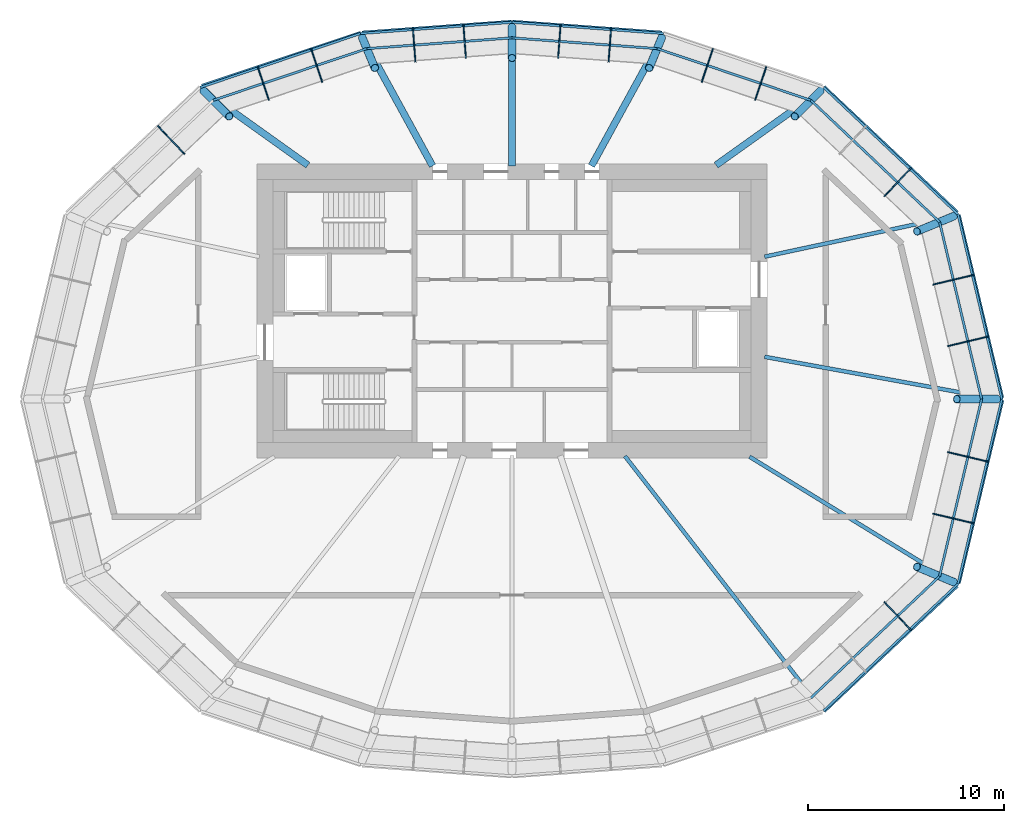
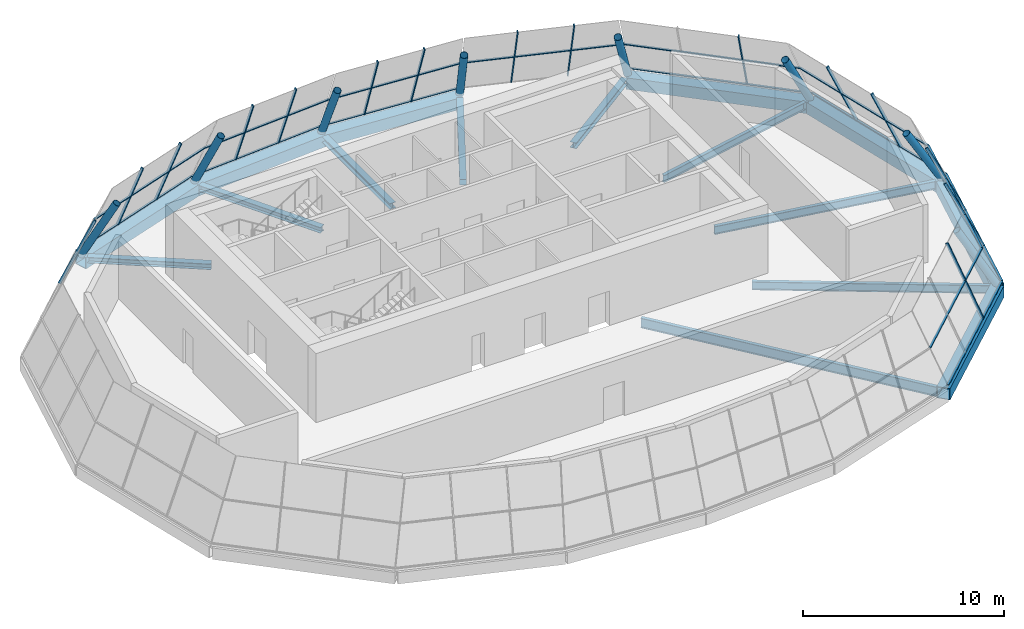
# One storey, part 2 of 8: 38 members, 16 beams, 9 elements without a shape of their own.
"""IFC4 building model written with IfcOpenShell, lengths in metres."""

from ifc_helpers import new_model, si_unit, direction, frame, origin, origin_2d, place, context, subcontext, project, spatial, rectangle, hollow_rectangle, hollow_circle, i_section, extrude, material, material_profile, profile_set, type_object, element, aggregate, save


model = new_model("IFC4")

# Units and contexts
model_context = context("Model", 3, precision=1e-05, world=origin(), true_north=direction((0.0, 1.0)))
body_context = subcontext(model_context, "Body", "Model", "MODEL_VIEW")
ifc_project = project(units=[si_unit("LENGTHUNIT", "METRE"), si_unit("AREAUNIT", "SQUARE_METRE"), si_unit("VOLUMEUNIT", "CUBIC_METRE"), si_unit("PLANEANGLEUNIT", "RADIAN"), si_unit("MASSUNIT", "GRAM", prefix="KILO")], contexts=[model_context])

# Site, building, storey
site_placement = place(None, origin())
site = spatial("IfcSite", under=ifc_project, at=site_placement, CompositionType="ELEMENT")
building_placement = place(site_placement, origin())
building = spatial("IfcBuilding", under=site, at=building_placement, Name="Rubra Terraces Tower", CompositionType="ELEMENT")
storey_placement = place(building_placement, frame((0.0, 0.0, 312.0)))
storey = spatial("IfcBuildingStorey", under=building, at=storey_placement, Name="L77", CompositionType="ELEMENT", Elevation=312.0)

# Members
ifc_material_1 = material(Name="Steel Q355B", Category="steel")
ifc_material_profile_1 = material_profile(ifc_material_1, hollow_circle(Radius=0.202880859375, WallThickness=0.01611328125, at=origin_2d()), Name="CHS 406x16")
ifc_profile_set_1 = profile_set([ifc_material_profile_1], Name="Steel Q355B")
member_type_1 = type_object("IfcMemberType", Name="CROWN POST CHS 406x16", PredefinedType="POST", material=ifc_profile_set_1)
member_1_placement = place(storey_placement, frame((24.75, 0.0, -0.199951171875), z_axis=(-0.508316395574, 0.0, 0.8611703908), x_axis=(0.0, -1.0, 0.0)))
element("IfcMember", 1, at=member_1_placement, inside=storey, type_object=member_type_1, Name="CROWN POST", PredefinedType="POST", context=body_context, shape_type="SweptSolid", body=[
    extrude(hollow_circle(Radius=0.202880859375, WallThickness=0.01611328125, at=origin_2d()), origin(), (0.0, 0.0, 1.0), 4.064208984375),
])
member_2_placement = place(storey_placement, frame((22.53076171875, 9.332763671875, -0.199951171875), z_axis=(-0.464569519212, -0.192399913797, 0.864382690126), x_axis=(0.38263067102, -0.923901385211, 0.0)))
element("IfcMember", 2, at=member_2_placement, inside=storey, type_object=member_type_1, Name="CROWN POST", PredefinedType="POST", context=body_context, shape_type="SweptSolid", body=[
    extrude(hollow_circle(Radius=0.202880859375, WallThickness=0.01611328125, at=origin_2d()), origin(), (0.0, 0.0, 1.0), 4.049072265625),
])
member_3_placement = place(storey_placement, frame((15.732177734375, 15.732177734375, -0.199951171875), z_axis=(-0.331583056305, -0.331583056305, 0.883235729318), x_axis=(0.707106781187, -0.707106781187, 0.0)))
element("IfcMember", 3, at=member_3_placement, inside=storey, type_object=member_type_1, Name="CROWN POST", PredefinedType="POST", context=body_context, shape_type="SweptSolid", body=[
    extrude(hollow_circle(Radius=0.202880859375, WallThickness=0.01611328125, at=origin_2d()), origin(), (0.0, 0.0, 1.0), 3.962646484375),
])
member_4_placement = place(storey_placement, frame((7.6337890625, 18.4296875, -0.199951171875), z_axis=(-0.164770054944, -0.397664374103, 0.902615020129), x_axis=(0.92383675202, -0.382786697283, 0.0)))
element("IfcMember", 4, at=member_4_placement, inside=storey, type_object=member_type_1, Name="CROWN POST", PredefinedType="POST", context=body_context, shape_type="SweptSolid", body=[
    extrude(hollow_circle(Radius=0.202880859375, WallThickness=0.01611328125, at=origin_2d()), origin(), (0.0, 0.0, 1.0), 3.877685546875),
])
member_5_placement = place(storey_placement, frame((0.0, 18.985107421875, -0.199951171875), z_axis=(0.0, -0.41341529488, 0.910542582178), x_axis=(1.0, 0.0, 0.0)))
element("IfcMember", 5, at=member_5_placement, inside=storey, type_object=member_type_1, Name="CROWN POST", PredefinedType="POST", context=body_context, shape_type="SweptSolid", body=[
    extrude(hollow_circle(Radius=0.202880859375, WallThickness=0.01611328125, at=origin_2d()), origin(), (0.0, 0.0, 1.0), 3.84375),
])
member_6_placement = place(storey_placement, frame((-7.6337890625, 18.4296875, -0.199951171875), z_axis=(0.164770054944, -0.397664374103, 0.902615020129), x_axis=(0.92383675202, 0.382786697283, 0.0)))
element("IfcMember", 6, at=member_6_placement, inside=storey, type_object=member_type_1, Name="CROWN POST", PredefinedType="POST", context=body_context, shape_type="SweptSolid", body=[
    extrude(hollow_circle(Radius=0.202880859375, WallThickness=0.01611328125, at=origin_2d()), origin(), (0.0, 0.0, 1.0), 3.877685546875),
])
member_7_placement = place(storey_placement, frame((-15.732177734375, 15.732177734375, -0.199951171875), z_axis=(0.331583056305, -0.331583056305, 0.883235729318), x_axis=(0.707106781187, 0.707106781187, 0.0)))
element("IfcMember", 7, at=member_7_placement, inside=storey, type_object=member_type_1, Name="CROWN POST", PredefinedType="POST", context=body_context, shape_type="SweptSolid", body=[
    extrude(hollow_circle(Radius=0.202880859375, WallThickness=0.01611328125, at=origin_2d()), origin(), (0.0, 0.0, 1.0), 3.962646484375),
])
member_8_placement = place(storey_placement, frame((22.53076171875, -9.332763671875, -0.199951171875), z_axis=(-0.464569519212, 0.192399913797, 0.864382690126), x_axis=(-0.38263067102, -0.923901385211, 0.0)))
element("IfcMember", 8, at=member_8_placement, inside=storey, type_object=member_type_1, Name="CROWN POST", PredefinedType="POST", context=body_context, shape_type="SweptSolid", body=[
    extrude(hollow_circle(Radius=0.202880859375, WallThickness=0.01611328125, at=origin_2d()), origin(), (0.0, 0.0, 1.0), 4.049072265625),
])

# Beams
ifc_material_profile_2 = material_profile(ifc_material_1, hollow_rectangle(XDim=0.699951171875, YDim=0.699951171875, WallThickness=0.034912109375, at=origin_2d()), Name="BOX 700x700x35")
ifc_profile_set_2 = profile_set([ifc_material_profile_2], Name="Steel Q355B")
beam_type_1 = type_object("IfcBeamType", Name="CROWN RING GIRDER BOX 700x700x35", PredefinedType="BEAM", material=ifc_profile_set_2)
beam_1_placement = place(storey_placement, frame((24.75, 0.0, -0.550048828125), z_axis=(-0.231309715893, 0.97288016494, 0.0), x_axis=(-0.97288016494, -0.231309715893, 0.0)))
element("IfcBeam", 9, at=beam_1_placement, inside=storey, type_object=beam_type_1, Name="CROWN RING GIRDER", PredefinedType="BEAM", context=body_context, shape_type="SweptSolid", body=[
    extrude(hollow_rectangle(XDim=0.699951171875, YDim=0.699951171875, WallThickness=0.034912109375, at=origin_2d()), origin(), (0.0, 0.0, 1.0), 9.59326171875),
])
beam_2_placement = place(storey_placement, frame((22.531005859375, 9.3330078125, -0.550048828125), z_axis=(-0.728210739894, 0.685353279925, 0.0), x_axis=(-0.685353279925, -0.728210739894, 0.0)))
element("IfcBeam", 10, at=beam_2_placement, inside=storey, type_object=beam_type_1, Name="CROWN RING GIRDER", PredefinedType="BEAM", context=body_context, shape_type="SweptSolid", body=[
    extrude(hollow_rectangle(XDim=0.699951171875, YDim=0.699951171875, WallThickness=0.034912109375, at=origin_2d()), origin(), (0.0, 0.0, 1.0), 9.336669921875),
])
for number, where, z_axis, x_axis, name in (
    (11, (7.634033203125, 18.429931640625, -0.550048828125), (-0.997366068683, 0.072532234487, 0.0), (-0.072532234487, -0.997366068683, 0.0), "CROWN RING GIRDER"),
    (12, (0.0, 18.985107421875, -0.550048828125), (-0.997366068683, -0.072532234487, 0.0), (0.072532234487, -0.997366068683, 0.0), "CROWN RING GIRDER"),
):
    element("IfcBeam", number, at=place(storey_placement, frame(where, z_axis=z_axis, x_axis=x_axis)), inside=storey, type_object=beam_type_1, Name=name, PredefinedType="BEAM", context=body_context, shape_type="SweptSolid", body=[
        extrude(hollow_rectangle(XDim=0.699951171875, YDim=0.699951171875, WallThickness=0.034912109375, at=origin_2d()), origin(), (0.0, 0.0, 1.0), 7.654296875),
    ])
beam_3_placement = place(storey_placement, frame((-7.634033203125, 18.429931640625, -0.550048828125), z_axis=(-0.94872905273, -0.316090468863, 0.0), x_axis=(0.316090468863, -0.94872905273, 0.0)))
element("IfcBeam", 13, at=beam_3_placement, inside=storey, type_object=beam_type_1, Name="CROWN RING GIRDER", PredefinedType="BEAM", context=body_context, shape_type="SweptSolid", body=[
    extrude(hollow_rectangle(XDim=0.699951171875, YDim=0.699951171875, WallThickness=0.034912109375, at=origin_2d()), origin(), (0.0, 0.0, 1.0), 8.53564453125),
])
beam_4_placement = place(storey_placement, frame((15.73193359375, -15.73193359375, -0.550048828125), z_axis=(0.728210739894, 0.685353279925, 0.0), x_axis=(-0.685353279925, 0.728210739894, 0.0)))
element("IfcBeam", 14, at=beam_4_placement, inside=storey, type_object=beam_type_1, Name="CROWN RING GIRDER", PredefinedType="BEAM", context=body_context, shape_type="SweptSolid", body=[
    extrude(hollow_rectangle(XDim=0.699951171875, YDim=0.699951171875, WallThickness=0.034912109375, at=origin_2d()), origin(), (0.0, 0.0, 1.0), 9.336669921875),
])
beam_5_placement = place(storey_placement, frame((22.531005859375, -9.3330078125, -0.550048828125), z_axis=(0.231309715893, 0.97288016494, 0.0), x_axis=(-0.97288016494, 0.231309715893, 0.0)))
element("IfcBeam", 15, at=beam_5_placement, inside=storey, type_object=beam_type_1, Name="CROWN RING GIRDER", PredefinedType="BEAM", context=body_context, shape_type="SweptSolid", body=[
    extrude(hollow_rectangle(XDim=0.699951171875, YDim=0.699951171875, WallThickness=0.034912109375, at=origin_2d()), origin(), (0.0, 0.0, 1.0), 9.59326171875),
])

# Curtain wall, members
ifc_material_2 = material(Name="Aluminium and glass", Category="aluminium")
curtain_wall_type = type_object("IfcCurtainWallType", Name="Curtain wall Crown glazing", PredefinedType="NOTDEFINED", material=ifc_material_2)
curtain_wall_1_placement = place(storey_placement, origin())
curtain_wall_1 = element("IfcCurtainWall", 16, at=curtain_wall_1_placement, inside=storey, type_object=curtain_wall_type, Name="Crown glazing L77 facet 1", PredefinedType="NOTDEFINED")
ifc_material_3 = material(Name="Aluminium, anodised dark grey", Category="aluminium")
ifc_material_profile_3 = material_profile(ifc_material_3, rectangle(XDim=0.06005859375, YDim=0.159912109375, at=origin_2d()), Name="AL 60x160")
ifc_profile_set_3 = profile_set([ifc_material_profile_3], Name="Aluminium, anodised dark grey")
member_type_2 = type_object("IfcMemberType", Name="Crown glazing mullion 60 x 160", PredefinedType="MULLION", material=ifc_profile_set_3)
member_9_placement = place(storey_placement, frame((24.228515625, 3.177978515625, 0.0), z_axis=(-0.420042302915, -0.099727931612, 0.902008205848), x_axis=(0.231002012726, -0.972953272319, 0.0)))
member_9 = element("IfcMember", 17, at=member_9_placement, type_object=member_type_2, Name="Crown glazing L77 facet 1 mullion 1", PredefinedType="MULLION", context=body_context, shape_type="SweptSolid", body=[
    extrude(rectangle(XDim=0.06005859375, YDim=0.159912109375, at=origin_2d()), origin(), (0.0, 0.0, 1.0), 4.65625),
])
member_10_placement = place(storey_placement, frame((23.48291015625, 6.31884765625, 0.0), z_axis=(-0.420042302915, -0.099727931612, 0.902008205848), x_axis=(0.231002012726, -0.972953272319, 0.0)))
member_10 = element("IfcMember", 18, at=member_10_placement, type_object=member_type_2, Name="Crown glazing L77 facet 1 mullion 2", PredefinedType="MULLION", context=body_context, shape_type="SweptSolid", body=[
    extrude(rectangle(XDim=0.06005859375, YDim=0.159912109375, at=origin_2d()), origin(), (0.0, 0.0, 1.0), 4.65625),
])

# Curtain wall, member
curtain_wall_2_placement = place(storey_placement, origin())
curtain_wall_2 = element("IfcCurtainWall", 19, at=curtain_wall_2_placement, inside=storey, type_object=curtain_wall_type, Name="Crown glazing L77 facet 2", PredefinedType="NOTDEFINED")
member_11_placement = place(storey_placement, frame((20.302490234375, 11.732177734375, 0.0), z_axis=(-0.27792156066, -0.293975943085, 0.914515035966), x_axis=(0.726670508342, -0.686986151466, 0.0)))
member_11 = element("IfcMember", 20, at=member_11_placement, type_object=member_type_2, Name="Crown glazing L77 facet 2 mullion 1", PredefinedType="MULLION", context=body_context, shape_type="SweptSolid", body=[
    extrude(rectangle(XDim=0.06005859375, YDim=0.159912109375, at=origin_2d()), origin(), (0.0, 0.0, 1.0), 4.592529296875),
])

# Curtain wall, members
curtain_wall_3_placement = place(storey_placement, origin())
curtain_wall_3 = element("IfcCurtainWall", 21, at=curtain_wall_3_placement, inside=storey, type_object=curtain_wall_type, Name="Crown glazing L77 facet 3", PredefinedType="NOTDEFINED")
member_12_placement = place(storey_placement, frame((12.94921875, 16.887939453125, 0.0), z_axis=(-0.117427639594, -0.349256711778, 0.929639983401), x_axis=(0.94785880665, -0.318690575097, 0.0)))
member_12 = element("IfcMember", 22, at=member_12_placement, type_object=member_type_2, Name="Crown glazing L77 facet 3 mullion 1", PredefinedType="MULLION", context=body_context, shape_type="SweptSolid", body=[
    extrude(rectangle(XDim=0.06005859375, YDim=0.159912109375, at=origin_2d()), origin(), (0.0, 0.0, 1.0), 4.517822265625),
])
member_13_placement = place(storey_placement, frame((10.224609375, 17.803955078125, 0.0), z_axis=(-0.117427639594, -0.349256711778, 0.929639983401), x_axis=(0.94785880665, -0.318690575097, 0.0)))
member_13 = element("IfcMember", 23, at=member_13_placement, type_object=member_type_2, Name="Crown glazing L77 facet 3 mullion 2", PredefinedType="MULLION", context=body_context, shape_type="SweptSolid", body=[
    extrude(rectangle(XDim=0.06005859375, YDim=0.159912109375, at=origin_2d()), origin(), (0.0, 0.0, 1.0), 4.517822265625),
])

curtain_wall_4_placement = place(storey_placement, origin())
curtain_wall_4 = element("IfcCurtainWall", 24, at=curtain_wall_4_placement, inside=storey, type_object=curtain_wall_type, Name="Crown glazing L77 facet 4", PredefinedType="NOTDEFINED")
member_14_placement = place(storey_placement, frame((5.047607421875, 18.843505859375, 0.0), z_axis=(-0.026105226202, -0.352094238403, 0.93560042991), x_axis=(0.997262708491, -0.073939774494, 0.0)))
member_14 = element("IfcMember", 25, at=member_14_placement, type_object=member_type_2, Name="Crown glazing L77 facet 4 mullion 1", PredefinedType="MULLION", context=body_context, shape_type="SweptSolid", body=[
    extrude(rectangle(XDim=0.06005859375, YDim=0.159912109375, at=origin_2d()), origin(), (0.0, 0.0, 1.0), 4.489013671875),
])
member_15_placement = place(storey_placement, frame((2.47314453125, 19.034423828125, 0.0), z_axis=(-0.026105726066, -0.352046593384, 0.935618344814), x_axis=(0.99726186614, -0.073951134829, 0.0)))
member_15 = element("IfcMember", 26, at=member_15_placement, type_object=member_type_2, Name="Crown glazing L77 facet 4 mullion 2", PredefinedType="MULLION", context=body_context, shape_type="SweptSolid", body=[
    extrude(rectangle(XDim=0.06005859375, YDim=0.159912109375, at=origin_2d()), origin(), (0.0, 0.0, 1.0), 4.489013671875),
])

curtain_wall_5_placement = place(storey_placement, origin())
curtain_wall_5 = element("IfcCurtainWall", 27, at=curtain_wall_5_placement, inside=storey, type_object=curtain_wall_type, Name="Crown glazing L77 facet 5", PredefinedType="NOTDEFINED")
member_16_placement = place(storey_placement, frame((-2.47314453125, 19.034423828125, 0.0), z_axis=(0.026105726066, -0.352046593384, 0.935618344814), x_axis=(0.99726186614, 0.073951134829, 0.0)))
member_16 = element("IfcMember", 28, at=member_16_placement, type_object=member_type_2, Name="Crown glazing L77 facet 5 mullion 1", PredefinedType="MULLION", context=body_context, shape_type="SweptSolid", body=[
    extrude(rectangle(XDim=0.06005859375, YDim=0.159912109375, at=origin_2d()), origin(), (0.0, 0.0, 1.0), 4.489013671875),
])
member_17_placement = place(storey_placement, frame((-5.047607421875, 18.843505859375, 0.0), z_axis=(0.026105226202, -0.352094238403, 0.93560042991), x_axis=(0.997262708491, 0.073939774494, 0.0)))
member_17 = element("IfcMember", 29, at=member_17_placement, type_object=member_type_2, Name="Crown glazing L77 facet 5 mullion 2", PredefinedType="MULLION", context=body_context, shape_type="SweptSolid", body=[
    extrude(rectangle(XDim=0.06005859375, YDim=0.159912109375, at=origin_2d()), origin(), (0.0, 0.0, 1.0), 4.489013671875),
])

curtain_wall_6_placement = place(storey_placement, origin())
curtain_wall_6 = element("IfcCurtainWall", 30, at=curtain_wall_6_placement, inside=storey, type_object=curtain_wall_type, Name="Crown glazing L77 facet 6", PredefinedType="NOTDEFINED")
member_18_placement = place(storey_placement, frame((-10.224609375, 17.803955078125, 0.0), z_axis=(0.117427639594, -0.349256711778, 0.929639983401), x_axis=(0.94785880665, 0.318690575097, 0.0)))
member_18 = element("IfcMember", 31, at=member_18_placement, type_object=member_type_2, Name="Crown glazing L77 facet 6 mullion 1", PredefinedType="MULLION", context=body_context, shape_type="SweptSolid", body=[
    extrude(rectangle(XDim=0.06005859375, YDim=0.159912109375, at=origin_2d()), origin(), (0.0, 0.0, 1.0), 4.517822265625),
])
member_19_placement = place(storey_placement, frame((-12.94921875, 16.887939453125, 0.0), z_axis=(0.117427639594, -0.349256711778, 0.929639983401), x_axis=(0.94785880665, 0.318690575097, 0.0)))
member_19 = element("IfcMember", 32, at=member_19_placement, type_object=member_type_2, Name="Crown glazing L77 facet 6 mullion 2", PredefinedType="MULLION", context=body_context, shape_type="SweptSolid", body=[
    extrude(rectangle(XDim=0.06005859375, YDim=0.159912109375, at=origin_2d()), origin(), (0.0, 0.0, 1.0), 4.517822265625),
])

# Curtain wall, member
curtain_wall_7_placement = place(storey_placement, origin())
curtain_wall_7 = element("IfcCurtainWall", 33, at=curtain_wall_7_placement, inside=storey, type_object=curtain_wall_type, Name="Crown glazing L77 facet 7", PredefinedType="NOTDEFINED")
member_20_placement = place(storey_placement, frame((-18.019287109375, 13.890380859375, 0.0), z_axis=(0.277872505481, -0.293980286075, 0.914528546354), x_axis=(0.726736110056, 0.686916753574, 0.0)))
member_20 = element("IfcMember", 34, at=member_20_placement, type_object=member_type_2, Name="Crown glazing L77 facet 7 mullion 1", PredefinedType="MULLION", context=body_context, shape_type="SweptSolid", body=[
    extrude(rectangle(XDim=0.06005859375, YDim=0.159912109375, at=origin_2d()), origin(), (0.0, 0.0, 1.0), 4.592529296875),
])
aggregate(curtain_wall_7, [member_20])

curtain_wall_8_placement = place(storey_placement, origin())
curtain_wall_8 = element("IfcCurtainWall", 35, at=curtain_wall_8_placement, inside=storey, type_object=curtain_wall_type, Name="Crown glazing L77 facet 15", PredefinedType="NOTDEFINED")
member_21_placement = place(storey_placement, frame((20.302490234375, -11.732177734375, 0.0), z_axis=(-0.27792156066, 0.293975943085, 0.914515035966), x_axis=(-0.726670508342, -0.686986151466, 0.0)))
member_21 = element("IfcMember", 36, at=member_21_placement, type_object=member_type_2, Name="Crown glazing L77 facet 15 mullion 2", PredefinedType="MULLION", context=body_context, shape_type="SweptSolid", body=[
    extrude(rectangle(XDim=0.06005859375, YDim=0.159912109375, at=origin_2d()), origin(), (0.0, 0.0, 1.0), 4.592529296875),
])

# Curtain wall, members
curtain_wall_9_placement = place(storey_placement, origin())
curtain_wall_9 = element("IfcCurtainWall", 37, at=curtain_wall_9_placement, inside=storey, type_object=curtain_wall_type, Name="Crown glazing L77 facet 16", PredefinedType="NOTDEFINED")
member_22_placement = place(storey_placement, frame((23.48291015625, -6.31884765625, 0.0), z_axis=(-0.420042302915, 0.099727931612, 0.902008205848), x_axis=(-0.231002012726, -0.972953272319, 0.0)))
member_22 = element("IfcMember", 38, at=member_22_placement, type_object=member_type_2, Name="Crown glazing L77 facet 16 mullion 1", PredefinedType="MULLION", context=body_context, shape_type="SweptSolid", body=[
    extrude(rectangle(XDim=0.06005859375, YDim=0.159912109375, at=origin_2d()), origin(), (0.0, 0.0, 1.0), 4.65625),
])
member_23_placement = place(storey_placement, frame((24.228515625, -3.177978515625, 0.0), z_axis=(-0.420042302915, 0.099727931612, 0.902008205848), x_axis=(-0.231002012726, -0.972953272319, 0.0)))
member_23 = element("IfcMember", 39, at=member_23_placement, type_object=member_type_2, Name="Crown glazing L77 facet 16 mullion 2", PredefinedType="MULLION", context=body_context, shape_type="SweptSolid", body=[
    extrude(rectangle(XDim=0.06005859375, YDim=0.159912109375, at=origin_2d()), origin(), (0.0, 0.0, 1.0), 4.65625),
])

# Member
ifc_material_profile_4 = material_profile(ifc_material_3, rectangle(XDim=0.1201171875, YDim=0.06005859375, at=origin_2d()), Name="AL 120x60")
ifc_profile_set_4 = profile_set([ifc_material_profile_4], Name="Aluminium, anodised dark grey")
member_type_3 = type_object("IfcMemberType", Name="Crown glazing transom 120 x 60", PredefinedType="USERDEFINED", material=ifc_profile_set_4)
member_24_placement = place(storey_placement, frame((24.98291015625, 0.0, 0.0), z_axis=(-0.230980849251, 0.972958296783, 0.0), x_axis=(-0.972958296783, -0.230980849251, 0.0)))
member_24 = element("IfcMember", 40, at=member_24_placement, type_object=member_type_3, Name="Crown glazing L77 facet 1 transom 1", ObjectType="TRANSOM", PredefinedType="USERDEFINED", context=body_context, shape_type="SweptSolid", body=[
    extrude(rectangle(XDim=0.1201171875, YDim=0.06005859375, at=origin_2d()), origin(), (0.0, 0.0, 1.0), 9.68408203125),
])

member_25_placement = place(storey_placement, frame((23.949951171875, 0.0, 2.10009765625), z_axis=(-0.231003038228, 0.97295302884, 0.0), x_axis=(-0.97295302884, -0.231003038228, 0.0)))
member_25 = element("IfcMember", 41, at=member_25_placement, type_object=member_type_3, Name="Crown glazing L77 facet 1 transom 2", ObjectType="TRANSOM", PredefinedType="USERDEFINED", context=body_context, shape_type="SweptSolid", body=[
    extrude(rectangle(XDim=0.1201171875, YDim=0.06005859375, at=origin_2d()), origin(), (0.0, 0.0, 1.0), 9.283447265625),
])

aggregate(curtain_wall_1, [member_9, member_10, member_24, member_25])

member_26_placement = place(storey_placement, frame((22.74609375, 9.422119140625, 0.0), z_axis=(-0.726682625582, 0.686973334037, 0.0), x_axis=(-0.686973334037, -0.726682625582, 0.0)))
member_26 = element("IfcMember", 42, at=member_26_placement, type_object=member_type_3, Name="Crown glazing L77 facet 2 transom 1", ObjectType="TRANSOM", PredefinedType="USERDEFINED", context=body_context, shape_type="SweptSolid", body=[
    extrude(rectangle(XDim=0.1201171875, YDim=0.06005859375, at=origin_2d()), origin(), (0.0, 0.0, 1.0), 9.42529296875),
])

member_27_placement = place(storey_placement, frame((21.8056640625, 9.03271484375, 2.10009765625), z_axis=(-0.726661614836, 0.686995558591, 0.0), x_axis=(-0.686995558591, -0.726661614836, 0.0)))
member_27 = element("IfcMember", 43, at=member_27_placement, type_object=member_type_3, Name="Crown glazing L77 facet 2 transom 2", ObjectType="TRANSOM", PredefinedType="USERDEFINED", context=body_context, shape_type="SweptSolid", body=[
    extrude(rectangle(XDim=0.1201171875, YDim=0.06005859375, at=origin_2d()), origin(), (0.0, 0.0, 1.0), 9.035400390625),
])

aggregate(curtain_wall_2, [member_11, member_26, member_27])

member_28_placement = place(storey_placement, frame((15.239990234375, 15.23974609375, 2.10009765625), z_axis=(-0.947868082714, 0.318662984627, 0.0), x_axis=(-0.318662984627, -0.947868082714, 0.0)))
member_28 = element("IfcMember", 44, at=member_28_placement, type_object=member_type_3, Name="Crown glazing L77 facet 3 transom 2", ObjectType="TRANSOM", PredefinedType="USERDEFINED", context=body_context, shape_type="SweptSolid", body=[
    extrude(rectangle(XDim=0.1201171875, YDim=0.06005859375, at=origin_2d()), origin(), (0.0, 0.0, 1.0), 8.267333984375),
])

aggregate(curtain_wall_3, [member_12, member_13, member_28])

member_29_placement = place(storey_placement, frame((7.722900390625, 18.64501953125, 0.0), z_axis=(-0.997258887344, 0.073991294174, 0.0), x_axis=(-0.073991294174, -0.997258887344, 0.0)))
member_29 = element("IfcMember", 45, at=member_29_placement, type_object=member_type_3, Name="Crown glazing L77 facet 4 transom 1", ObjectType="TRANSOM", PredefinedType="USERDEFINED", context=body_context, shape_type="SweptSolid", body=[
    extrude(rectangle(XDim=0.1201171875, YDim=0.06005859375, at=origin_2d()), origin(), (0.0, 0.0, 1.0), 7.744140625),
])

member_30_placement = place(storey_placement, frame((7.403564453125, 17.8740234375, 2.10009765625), z_axis=(-0.997258774195, 0.07399281919, 0.0), x_axis=(-0.07399281919, -0.997258774195, 0.0)))
member_30 = element("IfcMember", 46, at=member_30_placement, type_object=member_type_3, Name="Crown glazing L77 facet 4 transom 2", ObjectType="TRANSOM", PredefinedType="USERDEFINED", context=body_context, shape_type="SweptSolid", body=[
    extrude(rectangle(XDim=0.1201171875, YDim=0.06005859375, at=origin_2d()), origin(), (0.0, 0.0, 1.0), 7.423828125),
])

aggregate(curtain_wall_4, [member_14, member_15, member_29, member_30])

member_31_placement = place(storey_placement, frame((0.0, 19.218017578125, 0.0), z_axis=(-0.997258887344, -0.073991294174, 0.0), x_axis=(0.073991294174, -0.997258887344, 0.0)))
member_31 = element("IfcMember", 47, at=member_31_placement, type_object=member_type_3, Name="Crown glazing L77 facet 5 transom 1", ObjectType="TRANSOM", PredefinedType="USERDEFINED", context=body_context, shape_type="SweptSolid", body=[
    extrude(rectangle(XDim=0.1201171875, YDim=0.06005859375, at=origin_2d()), origin(), (0.0, 0.0, 1.0), 7.744140625),
])

member_32_placement = place(storey_placement, frame((0.0, 18.42333984375, 2.10009765625), z_axis=(-0.997258774195, -0.07399281919, 0.0), x_axis=(0.07399281919, -0.997258774195, 0.0)))
member_32 = element("IfcMember", 48, at=member_32_placement, type_object=member_type_3, Name="Crown glazing L77 facet 5 transom 2", ObjectType="TRANSOM", PredefinedType="USERDEFINED", context=body_context, shape_type="SweptSolid", body=[
    extrude(rectangle(XDim=0.1201171875, YDim=0.06005859375, at=origin_2d()), origin(), (0.0, 0.0, 1.0), 7.423828125),
])

aggregate(curtain_wall_5, [member_16, member_17, member_31, member_32])

member_33_placement = place(storey_placement, frame((-7.722900390625, 18.64501953125, 0.0), z_axis=(-0.947867651928, -0.318664266005, 0.0), x_axis=(0.318664266005, -0.947867651928, 0.0)))
member_33 = element("IfcMember", 49, at=member_33_placement, type_object=member_type_3, Name="Crown glazing L77 facet 6 transom 1", ObjectType="TRANSOM", PredefinedType="USERDEFINED", context=body_context, shape_type="SweptSolid", body=[
    extrude(rectangle(XDim=0.1201171875, YDim=0.06005859375, at=origin_2d()), origin(), (0.0, 0.0, 1.0), 8.62353515625),
])

member_34_placement = place(storey_placement, frame((-7.403564453125, 17.874267578125, 2.10009765625), z_axis=(-0.947868082714, -0.318662984627, 0.0), x_axis=(0.318662984627, -0.947868082714, 0.0)))
member_34 = element("IfcMember", 50, at=member_34_placement, type_object=member_type_3, Name="Crown glazing L77 facet 6 transom 2", ObjectType="TRANSOM", PredefinedType="USERDEFINED", context=body_context, shape_type="SweptSolid", body=[
    extrude(rectangle(XDim=0.1201171875, YDim=0.06005859375, at=origin_2d()), origin(), (0.0, 0.0, 1.0), 8.267333984375),
])

aggregate(curtain_wall_6, [member_18, member_19, member_33, member_34])

member_35_placement = place(storey_placement, frame((15.89697265625, -15.89697265625, 0.0), z_axis=(0.726682625582, 0.686973334037, 0.0), x_axis=(-0.686973334037, 0.726682625582, 0.0)))
member_35 = element("IfcMember", 51, at=member_35_placement, type_object=member_type_3, Name="Crown glazing L77 facet 15 transom 1", ObjectType="TRANSOM", PredefinedType="USERDEFINED", context=body_context, shape_type="SweptSolid", body=[
    extrude(rectangle(XDim=0.1201171875, YDim=0.06005859375, at=origin_2d()), origin(), (0.0, 0.0, 1.0), 9.42529296875),
])

member_36_placement = place(storey_placement, frame((15.239990234375, -15.239990234375, 2.10009765625), z_axis=(0.726661614836, 0.686995558591, 0.0), x_axis=(-0.686995558591, 0.726661614836, 0.0)))
member_36 = element("IfcMember", 52, at=member_36_placement, type_object=member_type_3, Name="Crown glazing L77 facet 15 transom 2", ObjectType="TRANSOM", PredefinedType="USERDEFINED", context=body_context, shape_type="SweptSolid", body=[
    extrude(rectangle(XDim=0.1201171875, YDim=0.06005859375, at=origin_2d()), origin(), (0.0, 0.0, 1.0), 9.035400390625),
])

aggregate(curtain_wall_8, [member_21, member_35, member_36])

member_37_placement = place(storey_placement, frame((22.74609375, -9.422119140625, 0.0), z_axis=(0.230980849251, 0.972958296783, 0.0), x_axis=(-0.972958296783, 0.230980849251, 0.0)))
member_37 = element("IfcMember", 53, at=member_37_placement, type_object=member_type_3, Name="Crown glazing L77 facet 16 transom 1", ObjectType="TRANSOM", PredefinedType="USERDEFINED", context=body_context, shape_type="SweptSolid", body=[
    extrude(rectangle(XDim=0.1201171875, YDim=0.06005859375, at=origin_2d()), origin(), (0.0, 0.0, 1.0), 9.68408203125),
])

member_38_placement = place(storey_placement, frame((21.805419921875, -9.032470703125, 2.10009765625), z_axis=(0.231003038228, 0.97295302884, 0.0), x_axis=(-0.97295302884, 0.231003038228, 0.0)))
member_38 = element("IfcMember", 54, at=member_38_placement, type_object=member_type_3, Name="Crown glazing L77 facet 16 transom 2", ObjectType="TRANSOM", PredefinedType="USERDEFINED", context=body_context, shape_type="SweptSolid", body=[
    extrude(rectangle(XDim=0.1201171875, YDim=0.06005859375, at=origin_2d()), origin(), (0.0, 0.0, 1.0), 9.283447265625),
])

aggregate(curtain_wall_9, [member_22, member_23, member_37, member_38])

# Beams
ifc_material_profile_5 = material_profile(ifc_material_1, i_section(OverallWidth=0.198974609375, OverallDepth=0.446044921875, WebThickness=0.008056640625, FlangeThickness=0.011962890625, at=origin_2d()), Name="HN 446x199x8x12")
ifc_profile_set_5 = profile_set([ifc_material_profile_5], Name="Steel Q355B")
beam_type_2 = type_object("IfcBeamType", Name="FLOOR BEAM HN 446x199x8x12", PredefinedType="BEAM", material=ifc_profile_set_5)
beam_6_placement = place(storey_placement, frame((22.18896484375, 9.259033203125, -0.423095703125), z_axis=(-0.977759975142, -0.209727039294, 0.0), x_axis=(0.209727039294, -0.977759975142, 0.0)))
element("IfcBeam", 55, at=beam_6_placement, inside=storey, type_object=beam_type_2, Name="beam-L77-crown-floor-02", PredefinedType="BEAM", context=body_context, shape_type="SweptSolid", body=[
    extrude(i_section(OverallWidth=0.198974609375, OverallDepth=0.446044921875, WebThickness=0.008056640625, FlangeThickness=0.011962890625, at=origin_2d()), origin(), (0.0, 0.0, 1.0), 9.517578125),
])
ifc_material_profile_6 = material_profile(ifc_material_1, i_section(OverallWidth=0.198974609375, OverallDepth=0.49609375, WebThickness=0.009033203125, FlangeThickness=0.013916015625, at=origin_2d()), Name="HN 496x199x9x14")
ifc_profile_set_6 = profile_set([ifc_material_profile_6], Name="Steel Q355B")
beam_type_3 = type_object("IfcBeamType", Name="FLOOR BEAM HN 496x199x9x14", PredefinedType="BEAM", material=ifc_profile_set_6)
beam_7_placement = place(storey_placement, frame((24.406005859375, 0.06298828125, -0.447998046875), z_axis=(-0.983874245344, 0.178861592714, 0.0), x_axis=(-0.178861592714, -0.983874245344, 0.0)))
element("IfcBeam", 56, at=beam_7_placement, inside=storey, type_object=beam_type_3, Name="beam-L77-crown-floor-01", PredefinedType="BEAM", context=body_context, shape_type="SweptSolid", body=[
    extrude(i_section(OverallWidth=0.198974609375, OverallDepth=0.49609375, WebThickness=0.009033203125, FlangeThickness=0.013916015625, at=origin_2d()), origin(), (0.0, 0.0, 1.0), 11.712890625),
])
beam_8_placement = place(storey_placement, frame((22.23193359375, -9.14990234375, -0.447998046875), z_axis=(-0.852166239053, 0.523271154391, 0.0), x_axis=(-0.523271154391, -0.852166239053, 0.0)))
element("IfcBeam", 57, at=beam_8_placement, inside=storey, type_object=beam_type_3, Name="beam-L77-crown-floor-16", PredefinedType="BEAM", context=body_context, shape_type="SweptSolid", body=[
    extrude(i_section(OverallWidth=0.198974609375, OverallDepth=0.49609375, WebThickness=0.009033203125, FlangeThickness=0.013916015625, at=origin_2d()), origin(), (0.0, 0.0, 1.0), 11.873291015625),
])
ifc_material_profile_7 = material_profile(ifc_material_1, i_section(OverallWidth=0.198974609375, OverallDepth=0.595947265625, WebThickness=0.010009765625, FlangeThickness=0.014892578125, at=origin_2d()), Name="HN 596x199x10x15")
ifc_profile_set_7 = profile_set([ifc_material_profile_7], Name="Steel Q355B")
beam_type_4 = type_object("IfcBeamType", Name="FLOOR BEAM HN 596x199x10x15", PredefinedType="BEAM", material=ifc_profile_set_7)
beam_9_placement = place(storey_placement, frame((15.51708984375, -15.4560546875, -0.498046875), z_axis=(-0.613827917379, 0.789439857017, 0.0), x_axis=(-0.789439857017, -0.613827917379, 0.0)))
element("IfcBeam", 58, at=beam_9_placement, inside=storey, type_object=beam_type_4, Name="beam-L77-crown-floor-15", PredefinedType="BEAM", context=body_context, shape_type="SweptSolid", body=[
    extrude(i_section(OverallWidth=0.198974609375, OverallDepth=0.595947265625, WebThickness=0.010009765625, FlangeThickness=0.014892578125, at=origin_2d()), origin(), (0.0, 0.0, 1.0), 15.898681640625),
])
ifc_material_profile_8 = material_profile(ifc_material_1, i_section(OverallWidth=0.35009765625, OverallDepth=0.35009765625, WebThickness=0.011962890625, FlangeThickness=0.01904296875, at=origin_2d()), Name="HW 350x350x12x19")
ifc_profile_set_8 = profile_set([ifc_material_profile_8], Name="Steel Q355B")
beam_type_5 = type_object("IfcBeamType", Name="FLOOR BEAM HW 350x350x12x19", PredefinedType="BEAM", material=ifc_profile_set_8)
beam_10_placement = place(storey_placement, frame((15.447021484375, 15.529052734375, -0.375), z_axis=(-0.813802718164, -0.581141235767, 0.0), x_axis=(0.581141235767, -0.813802718164, 0.0)))
element("IfcBeam", 59, at=beam_10_placement, inside=storey, type_object=beam_type_5, Name="beam-L77-crown-floor-03", PredefinedType="BEAM", context=body_context, shape_type="SweptSolid", body=[
    extrude(i_section(OverallWidth=0.35009765625, OverallDepth=0.35009765625, WebThickness=0.011962890625, FlangeThickness=0.01904296875, at=origin_2d()), origin(), (0.0, 0.0, 1.0), 6.193115234375),
])
beam_11_placement = place(storey_placement, frame((7.466064453125, 18.123046875, -0.375), z_axis=(-0.480585355334, -0.876947955262, 0.0), x_axis=(0.876947955262, -0.480585355334, 0.0)))
element("IfcBeam", 60, at=beam_11_placement, inside=storey, type_object=beam_type_5, Name="beam-L77-crown-floor-04", PredefinedType="BEAM", context=body_context, shape_type="SweptSolid", body=[
    extrude(i_section(OverallWidth=0.35009765625, OverallDepth=0.35009765625, WebThickness=0.011962890625, FlangeThickness=0.01904296875, at=origin_2d()), origin(), (0.0, 0.0, 1.0), 7.10205078125),
])
beam_12_placement = place(storey_placement, frame((0.0, 18.635009765625, -0.375), z_axis=(0.0, -1.0, 0.0), x_axis=(1.0, 0.0, 0.0)))
element("IfcBeam", 61, at=beam_12_placement, inside=storey, type_object=beam_type_5, Name="beam-L77-crown-floor-05", PredefinedType="BEAM", context=body_context, shape_type="SweptSolid", body=[
    extrude(i_section(OverallWidth=0.35009765625, OverallDepth=0.35009765625, WebThickness=0.011962890625, FlangeThickness=0.01904296875, at=origin_2d()), origin(), (0.0, 0.0, 1.0), 6.755126953125),
])
beam_13_placement = place(storey_placement, frame((-7.466064453125, 18.123046875, -0.375), z_axis=(0.480585355334, -0.876947955262, 0.0), x_axis=(0.876947955262, 0.480585355334, 0.0)))
element("IfcBeam", 62, at=beam_13_placement, inside=storey, type_object=beam_type_5, Name="beam-L77-crown-floor-06", PredefinedType="BEAM", context=body_context, shape_type="SweptSolid", body=[
    extrude(i_section(OverallWidth=0.35009765625, OverallDepth=0.35009765625, WebThickness=0.011962890625, FlangeThickness=0.01904296875, at=origin_2d()), origin(), (0.0, 0.0, 1.0), 7.10205078125),
])
beam_14_placement = place(storey_placement, frame((-15.447021484375, 15.529052734375, -0.375), z_axis=(0.813802718164, -0.581141235767, 0.0), x_axis=(0.581141235767, 0.813802718164, 0.0)))
element("IfcBeam", 63, at=beam_14_placement, inside=storey, type_object=beam_type_5, Name="beam-L77-crown-floor-07", PredefinedType="BEAM", context=body_context, shape_type="SweptSolid", body=[
    extrude(i_section(OverallWidth=0.35009765625, OverallDepth=0.35009765625, WebThickness=0.011962890625, FlangeThickness=0.01904296875, at=origin_2d()), origin(), (0.0, 0.0, 1.0), 6.193115234375),
])

save(model, "model.ifc")
